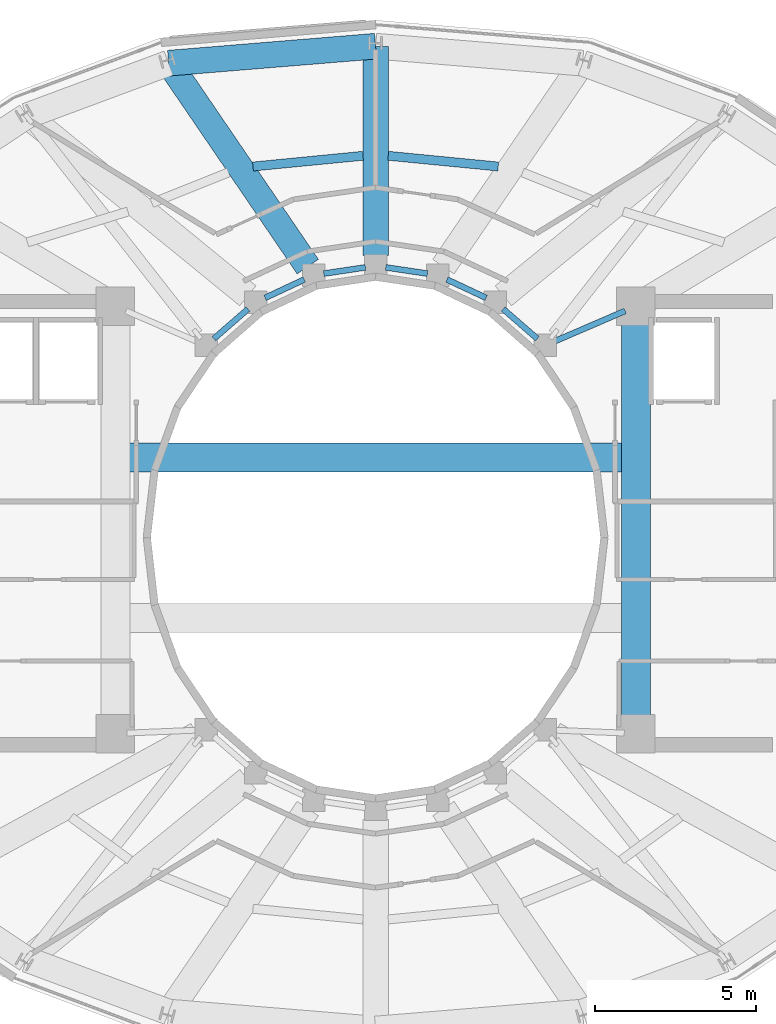
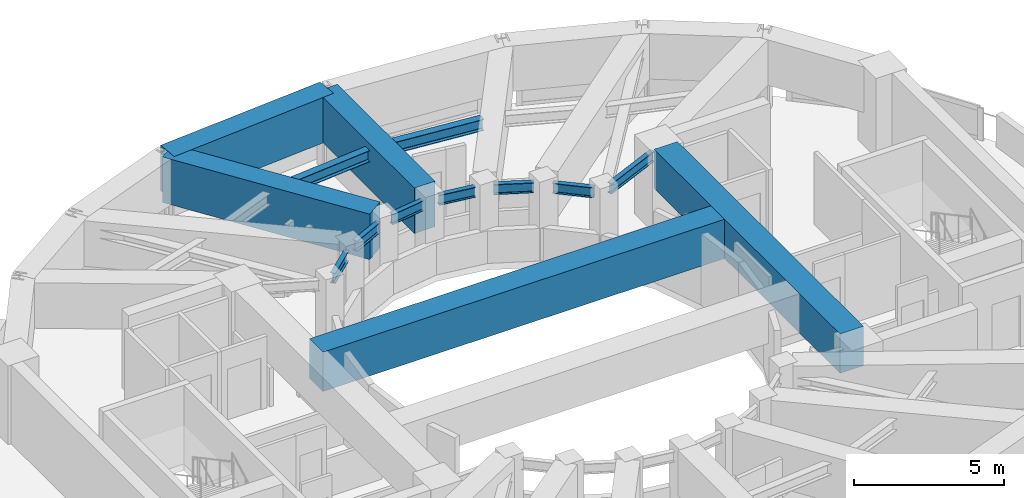
# One storey, part 9 of 18: 14 beams.
"""IFC4 building model written with IfcOpenShell, lengths in metres."""

from ifc_helpers import new_model, si_unit, direction, frame, origin, origin_2d, place, context, subcontext, project, spatial, rectangle, i_section, extrude, material, material_profile, profile_set, type_object, element, save


model = new_model("IFC4")

# Units and contexts
model_context = context("Model", 3, precision=1e-05, world=origin(), true_north=direction((0.0, 1.0)))
body_context = subcontext(model_context, "Body", "Model", "MODEL_VIEW")
ifc_project = project(units=[si_unit("LENGTHUNIT", "METRE"), si_unit("AREAUNIT", "SQUARE_METRE"), si_unit("VOLUMEUNIT", "CUBIC_METRE"), si_unit("PLANEANGLEUNIT", "RADIAN"), si_unit("MASSUNIT", "GRAM", prefix="KILO")], contexts=[model_context])

# Site, building, storey
site_placement = place(None, origin())
site = spatial("IfcSite", under=ifc_project, at=site_placement, CompositionType="ELEMENT")
building_placement = place(site_placement, origin())
building = spatial("IfcBuilding", under=site, at=building_placement, Name="Solvane Sanctuary Tower", CompositionType="ELEMENT")
storey_placement = place(building_placement, frame((0.0, 0.0, 263.60009765625)))
storey = spatial("IfcBuildingStorey", under=building, at=storey_placement, Name="L80", CompositionType="ELEMENT", Elevation=263.60009765625)

# Beams
ifc_material_1 = material(Name="Steel ASTM A992 Grade 50", Category="steel")
ifc_material_profile_1 = material_profile(ifc_material_1, i_section(OverallWidth=0.180908203125, OverallDepth=0.4169921875, WebThickness=0.010986328125, FlangeThickness=0.018310546875, FilletRadius=0.012939453125, at=origin_2d()), Name="W16X57")
ifc_profile_set_1 = profile_set([ifc_material_profile_1], Name="Steel ASTM A992 Grade 50")
beam_type_1 = type_object("IfcBeamType", Name="Beam B-ROOF-BM W16X57", PredefinedType="BEAM", material=ifc_profile_set_1)
beam_1_placement = place(storey_placement, frame((26.96630859375, 29.192138671875, 2.7294921875), z_axis=(0.754388985763, 0.656427648839, 0.0), x_axis=(-0.656427648839, 0.754388985763, 0.0)))
element("IfcBeam", 1, at=beam_1_placement, inside=storey, type_object=beam_type_1, Name="L80 Inner Light-Well Ring Beam IC07-IC06", PredefinedType="BEAM", context=body_context, shape_type="SweptSolid", body=[
    extrude(i_section(OverallWidth=0.180908203125, OverallDepth=0.4169921875, WebThickness=0.010986328125, FlangeThickness=0.018310546875, FilletRadius=0.012939453125, at=origin_2d()), origin(), (0.0, 0.0, 1.0), 1.408203125),
])
beam_2_placement = place(storey_placement, frame((28.5595703125, 30.462646484375, 2.7294921875), z_axis=(0.905134542189, 0.425125229241, 0.0), x_axis=(-0.425125229241, 0.905134542189, 0.0)))
element("IfcBeam", 2, at=beam_2_placement, inside=storey, type_object=beam_type_1, Name="L80 Inner Light-Well Ring Beam IC06-IC05", PredefinedType="BEAM", context=body_context, shape_type="SweptSolid", body=[
    extrude(i_section(OverallWidth=0.180908203125, OverallDepth=0.4169921875, WebThickness=0.010986328125, FlangeThickness=0.018310546875, FilletRadius=0.012939453125, at=origin_2d()), origin(), (0.0, 0.0, 1.0), 1.347900390625),
])
for number, where, z_axis, x_axis, name in (
    (3, (30.3857421875, 31.218994140625, 2.7294921875), (0.989056121481, 0.147539786368, 0.0), (-0.147539786368, 0.989056121481, 0.0), "L80 Inner Light-Well Ring Beam IC05-IC04"),
    (4, (32.31640625, 31.41259765625, 2.7294921875), (0.989056121481, -0.147539786368, 0.0), (0.147539786368, 0.989056121481, 0.0), "L80 Inner Light-Well Ring Beam IC04-IC03"),
):
    element("IfcBeam", number, at=place(storey_placement, frame(where, z_axis=z_axis, x_axis=x_axis)), inside=storey, type_object=beam_type_1, Name=name, PredefinedType="BEAM", context=body_context, shape_type="SweptSolid", body=[
        extrude(i_section(OverallWidth=0.180908203125, OverallDepth=0.4169921875, WebThickness=0.010986328125, FlangeThickness=0.018310546875, FilletRadius=0.012939453125, at=origin_2d()), origin(), (0.0, 0.0, 1.0), 1.312255859375),
    ])
beam_3_placement = place(storey_placement, frame((34.220458984375, 31.03564453125, 2.7294921875), z_axis=(0.905134542189, -0.425125229241, 0.0), x_axis=(0.425125229241, 0.905134542189, 0.0)))
element("IfcBeam", 5, at=beam_3_placement, inside=storey, type_object=beam_type_1, Name="L80 Inner Light-Well Ring Beam IC03-IC02", PredefinedType="BEAM", context=body_context, shape_type="SweptSolid", body=[
    extrude(i_section(OverallWidth=0.180908203125, OverallDepth=0.4169921875, WebThickness=0.010986328125, FlangeThickness=0.018310546875, FilletRadius=0.012939453125, at=origin_2d()), origin(), (0.0, 0.0, 1.0), 1.347900390625),
])
beam_4_placement = place(storey_placement, frame((35.971435546875, 30.116455078125, 2.7294921875), z_axis=(0.754388985763, -0.656427648839, 0.0), x_axis=(0.656427648839, 0.754388985763, 0.0)))
element("IfcBeam", 6, at=beam_4_placement, inside=storey, type_object=beam_type_1, Name="L80 Inner Light-Well Ring Beam IC02-IC01", PredefinedType="BEAM", context=body_context, shape_type="SweptSolid", body=[
    extrude(i_section(OverallWidth=0.180908203125, OverallDepth=0.4169921875, WebThickness=0.010986328125, FlangeThickness=0.018310546875, FilletRadius=0.012939453125, at=origin_2d()), origin(), (0.0, 0.0, 1.0), 1.408203125),
])
beam_5_placement = place(storey_placement, frame((37.56884765625, 29.10888671875, 2.7294921875), z_axis=(0.918283854026, 0.395922673554, 0.0), x_axis=(-0.395922673554, 0.918283854026, 0.0)))
element("IfcBeam", 7, at=beam_5_placement, inside=storey, type_object=beam_type_1, Name="L80 Inner Light-Well Ring Beam IC01-CE4", PredefinedType="BEAM", context=body_context, shape_type="SweptSolid", body=[
    extrude(i_section(OverallWidth=0.180908203125, OverallDepth=0.4169921875, WebThickness=0.010986328125, FlangeThickness=0.018310546875, FilletRadius=0.012939453125, at=origin_2d()), origin(), (0.0, 0.0, 1.0), 2.396240234375),
])
ifc_material_profile_2 = material_profile(ifc_material_1, i_section(OverallWidth=0.280029296875, OverallDepth=0.462890625, WebThickness=0.0107421875, FlangeThickness=0.017333984375, FilletRadius=0.013916015625, at=origin_2d()), Name="W18X76")
ifc_profile_set_2 = profile_set([ifc_material_profile_2], Name="Steel ASTM A992 Grade 50")
beam_type_2 = type_object("IfcBeamType", Name="Beam B-SEC-JOIST W18X76", PredefinedType="JOIST", material=ifc_profile_set_2)
for number, where, z_axis, x_axis, name in (
    (8, (28.183349609375, 34.552734375, 2.706298828125), (0.995289010485, 0.096952491501, 0.0), (-0.096952491501, 0.995289010485, 0.0), "L80 Secondary Circumferential Joist 05-04"),
    (9, (32.39306640625, 34.88623046875, 2.706298828125), (0.995289010485, -0.096952491501, 0.0), (0.096952491501, 0.995289010485, 0.0), "L80 Secondary Circumferential Joist 04-03"),
):
    element("IfcBeam", number, at=place(storey_placement, frame(where, z_axis=z_axis, x_axis=x_axis)), inside=storey, type_object=beam_type_2, Name=name, PredefinedType="JOIST", context=body_context, shape_type="SweptSolid", body=[
        extrude(i_section(OverallWidth=0.280029296875, OverallDepth=0.462890625, WebThickness=0.0107421875, FlangeThickness=0.017333984375, FilletRadius=0.013916015625, at=origin_2d()), origin(), (0.0, 0.0, 1.0), 3.439697265625),
    ])
ifc_material_2 = material(Name="Concrete C70/85", Category="concrete")
ifc_material_profile_3 = material_profile(ifc_material_2, rectangle(XDim=0.800048828125, YDim=1.85009765625, at=origin_2d()), Name="RC800X1850")
ifc_profile_set_3 = profile_set([ifc_material_profile_3], Name="Concrete C70/85")
beam_type_3 = type_object("IfcBeamType", Name="Beam B-XFER-BLK RC800X1850", PredefinedType="BEAM", material=ifc_profile_set_3)
beam_6_placement = place(storey_placement, frame((32.0, 31.780029296875, 2.27490234375), z_axis=(0.0, 1.0, 0.0), x_axis=(-1.0, 0.0, 0.0)))
element("IfcBeam", 10, at=beam_6_placement, inside=storey, type_object=beam_type_3, Name="L80 Block-Shift Radial Transfer Girder 04A", PredefinedType="BEAM", context=body_context, shape_type="SweptSolid", body=[
    extrude(rectangle(XDim=0.800048828125, YDim=1.85009765625, at=origin_2d()), origin(), (0.0, 0.0, 1.0), 6.509033203125),
])
beam_7_placement = place(storey_placement, frame((29.888916015625, 31.43603515625, 2.27490234375), z_axis=(-0.563314112338, 0.826242828012, 0.0), x_axis=(-0.826242828012, -0.563314112338, 0.0)))
element("IfcBeam", 11, at=beam_7_placement, inside=storey, type_object=beam_type_3, Name="L80 Block-Shift Radial Transfer Girder 05A", PredefinedType="BEAM", context=body_context, shape_type="SweptSolid", body=[
    extrude(rectangle(XDim=0.800048828125, YDim=1.85009765625, at=origin_2d()), origin(), (0.0, 0.0, 1.0), 7.671630859375),
])
beam_8_placement = place(storey_placement, frame((25.556396484375, 37.76953125, 2.27490234375), z_axis=(0.996652479026, 0.081754731068, 0.0), x_axis=(-0.081754731068, 0.996652479026, 0.0)))
element("IfcBeam", 12, at=beam_8_placement, inside=storey, type_object=beam_type_3, Name="L80 Perimeter Step Transfer Ring NTC05-NTC04", PredefinedType="BEAM", context=body_context, shape_type="SweptSolid", body=[
    extrude(rectangle(XDim=0.800048828125, YDim=1.85009765625, at=origin_2d()), origin(), (0.0, 0.0, 1.0), 6.46533203125),
])
ifc_material_3 = material(Name="Concrete C60/75", Category="concrete")
ifc_material_profile_4 = material_profile(ifc_material_3, rectangle(XDim=0.89990234375, YDim=1.60009765625, at=origin_2d()), Name="RC900X1600")
ifc_profile_set_4 = profile_set([ifc_material_profile_4], Name="Concrete C60/75")
beam_type_4 = type_object("IfcBeamType", Name="Beam B-XFER-SP RC900X1600", PredefinedType="BEAM", material=ifc_profile_set_4)
beam_9_placement = place(storey_placement, frame((40.10009765625, 17.35009765625, 2.39990234375), z_axis=(0.0, 1.0, 0.0), x_axis=(-1.0, 0.0, 0.0)))
element("IfcBeam", 13, at=beam_9_placement, inside=storey, type_object=beam_type_4, Name="L80 Spire East Core Edge Transfer Girder", PredefinedType="BEAM", context=body_context, shape_type="SweptSolid", body=[
    extrude(rectangle(XDim=0.89990234375, YDim=1.60009765625, at=origin_2d()), origin(), (0.0, 0.0, 1.0), 12.39990234375),
])
beam_10_placement = place(storey_placement, frame((24.199951171875, 25.5, 2.39990234375), z_axis=(1.0, 0.0, 0.0), x_axis=(0.0, 1.0, 0.0)))
element("IfcBeam", 14, at=beam_10_placement, inside=storey, type_object=beam_type_4, Name="L80 Spire Anchorage Transfer Girder N", PredefinedType="BEAM", context=body_context, shape_type="SweptSolid", body=[
    extrude(rectangle(XDim=0.89990234375, YDim=1.60009765625, at=origin_2d()), origin(), (0.0, 0.0, 1.0), 15.60009765625),
])

save(model, "model.ifc")
